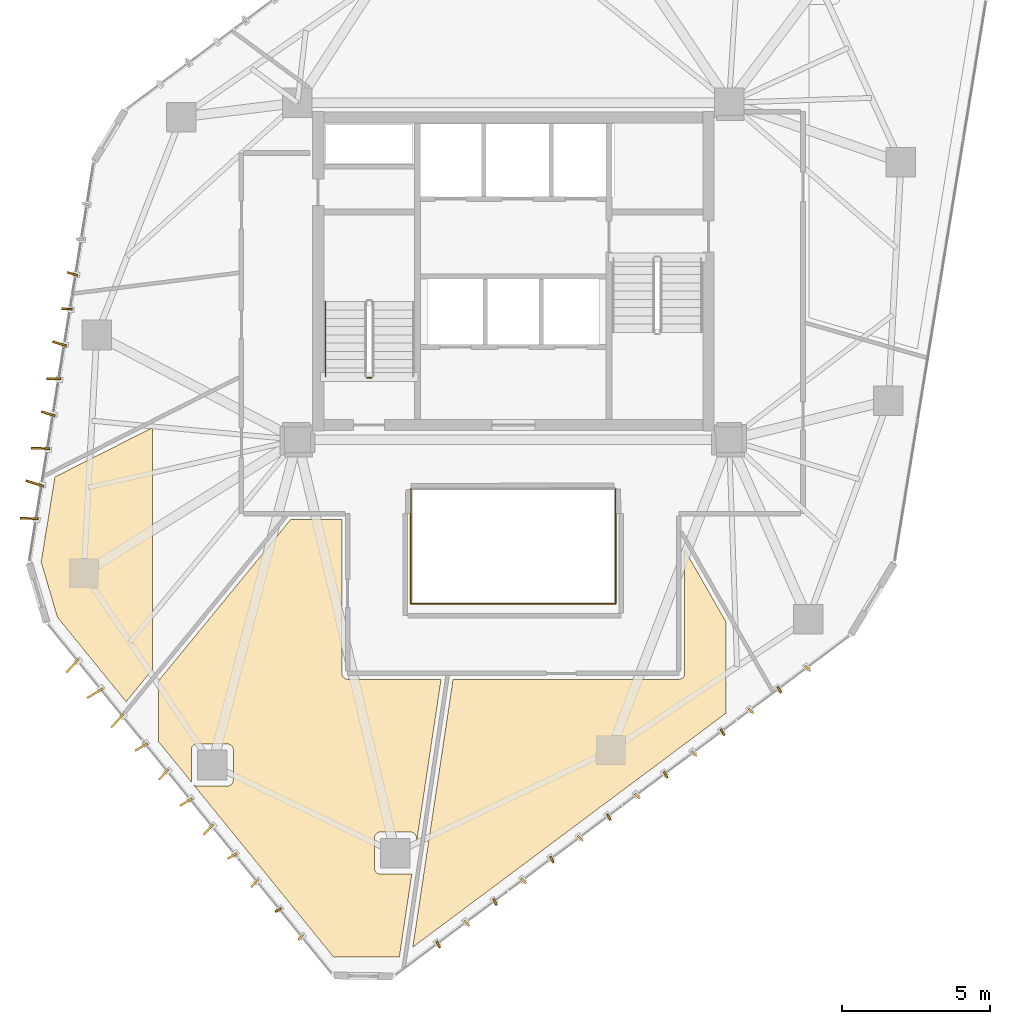
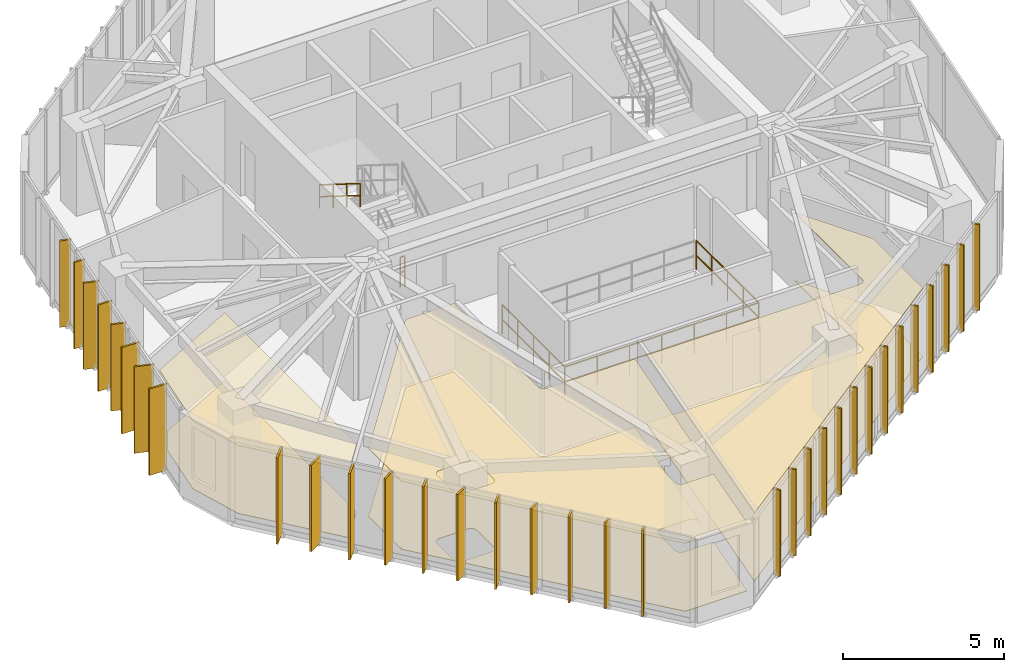
# One storey, part 19 of 20: 33 shading devices, 6 coverings, 5 railings.
"""IFC4 building model written with IfcOpenShell, lengths in metres."""

import ifcopenshell
import ifcopenshell.guid

model = None  # the IFC model being written
_history = None  # IfcOwnerHistory: only IFC2X3 demands one
_inside = {}  # id of a spatial element -> (the spatial element, [elements in it])
_under = {}  # id of a project, library or spatial element -> (it, [spatial elements below it])
_declared = {}  # id of a project -> (the project, [libraries it declares])
_typed = {}  # id of a type object -> (the type object, [elements of that type])
_made_of = {}  # id of a material, layer set ... -> (it, [elements and type objects made of it])


def new_model(schema):
    """Start an empty IFC model of exactly this schema.

    Asked for "IFC4X3", IfcOpenShell would pick the latest addendum, in which some entities
    have other attributes; the version numbers below select the first issue.
    IFC2X3 requires an IfcOwnerHistory on every rooted entity: one is made here for all.
    """
    global model, _history
    if schema == "IFC4X3":
        model = ifcopenshell.file(schema_version=(4, 3, 0, 0))
    else:
        model = ifcopenshell.file(schema=schema)
    _inside.clear()
    _under.clear()
    _declared.clear()
    _typed.clear()
    _made_of.clear()
    _history = None
    if model.schema == "IFC2X3":
        org = make("IfcOrganization", Name="unknown")
        user = make(
            "IfcPersonAndOrganization",
            ThePerson=make("IfcPerson", FamilyName="unknown"),
            TheOrganization=org,
        )
        app = make(
            "IfcApplication",
            ApplicationDeveloper=org,
            Version="unknown",
            ApplicationFullName="unknown",
            ApplicationIdentifier="unknown",
        )
        _history = make(
            "IfcOwnerHistory",
            OwningUser=user,
            OwningApplication=app,
            ChangeAction="ADDED",
            CreationDate=0,
        )
    return model


def make(cls, **values):
    """One entity of the class cls with the attributes given. An attribute that is None is left unset."""
    return model.create_entity(
        cls, **{name: value for name, value in values.items() if value is not None}
    )


def rooted(cls, **values):
    """An entity with a GlobalId (a new one), such as an element, a storey or a relation."""
    return make(cls, GlobalId=ifcopenshell.guid.new(), OwnerHistory=_history, **values)


def si_unit(unit_type, name, prefix=None):
    """IfcSIUnit, for example si_unit("LENGTHUNIT", "METRE", prefix="MILLI")."""
    return make("IfcSIUnit", UnitType=unit_type, Prefix=prefix, Name=name)


def assignment(units):
    """IfcUnitAssignment: the units of a project."""
    return None if units is None else make("IfcUnitAssignment", Units=units)


def point(xyz):
    """IfcCartesianPoint."""
    return None if xyz is None else make("IfcCartesianPoint", Coordinates=xyz)


def direction(xyz):
    """IfcDirection."""
    return None if xyz is None else make("IfcDirection", DirectionRatios=xyz)


def frame(location, z_axis=None, x_axis=None):
    """IfcAxis2Placement3D, a coordinate frame: its origin and axes. An axis left out is left unset."""
    return make(
        "IfcAxis2Placement3D",
        Location=point(location),
        Axis=direction(z_axis),
        RefDirection=direction(x_axis),
    )


def frame_2d(location, x_axis=None):
    """IfcAxis2Placement2D, a coordinate frame in the plane: its origin and x axis."""
    return make(
        "IfcAxis2Placement2D", Location=point(location), RefDirection=direction(x_axis)
    )


def origin():
    """The frame at (0, 0, 0) with its axes left unset."""
    return frame((0.0, 0.0, 0.0))


def origin_2d():
    """The frame at (0, 0) in the plane with its x axis left unset."""
    return frame_2d((0.0, 0.0))


def place(relative_to, where):
    """IfcLocalPlacement: puts the frame where relative to a parent placement (None: the world)."""
    return make(
        "IfcLocalPlacement", PlacementRelTo=relative_to, RelativePlacement=where
    )


def context(
    kind, dimensions, precision=None, world=None, true_north=None, identifier=None
):
    """IfcGeometricRepresentationContext, for example the 3D "Model" context."""
    return make(
        "IfcGeometricRepresentationContext",
        ContextIdentifier=identifier,
        ContextType=kind,
        CoordinateSpaceDimension=dimensions,
        Precision=precision,
        WorldCoordinateSystem=world,
        TrueNorth=true_north,
    )


def subcontext(parent, identifier, kind, view, scale=None):
    """IfcGeometricRepresentationSubContext, for example "Body" below "Model"."""
    return make(
        "IfcGeometricRepresentationSubContext",
        ContextIdentifier=identifier,
        ContextType=kind,
        ParentContext=parent,
        TargetScale=scale,
        TargetView=view,
    )


def project(units=None, contexts=None):
    """IfcProject with its units and contexts."""
    return rooted(
        "IfcProject",
        Name="project",
        RepresentationContexts=contexts,
        UnitsInContext=assignment(units),
    )


def spatial(cls, under=None, at=None, **own):
    """A site, building, storey or space (cls), placed at a placement, below another one or the project."""
    s = rooted(cls, ObjectPlacement=at, **own)
    if under is not None:
        _under.setdefault(under.id(), (under, []))[1].append(s)
    return s


def polyline(points):
    """IfcPolyline through the points."""
    return make("IfcPolyline", Points=[point(p) for p in points])


def profile(cls, at=None, kind="AREA", **sizes):
    """A parametric profile (cls). Its sizes go by their IFC names, for example OverallWidth=200.0."""
    return make(cls, ProfileType=kind, Position=at, **sizes)


def rectangle(**sizes):
    """IfcRectangleProfileDef."""
    return profile("IfcRectangleProfileDef", **sizes)


def circle(**sizes):
    """IfcCircleProfileDef."""
    return profile("IfcCircleProfileDef", **sizes)


def outline(outer, holes=None, kind="AREA"):
    """IfcArbitraryClosedProfileDef: a profile drawn as a closed curve; with holes, ...WithVoids."""
    if holes is None:
        return make("IfcArbitraryClosedProfileDef", ProfileType=kind, OuterCurve=outer)
    return make(
        "IfcArbitraryProfileDefWithVoids",
        ProfileType=kind,
        OuterCurve=outer,
        InnerCurves=holes,
    )


def extrude(swept, where, along, depth):
    """IfcExtrudedAreaSolid: the profile swept, set in the frame where, extruded along a direction by depth."""
    return make(
        "IfcExtrudedAreaSolid",
        SweptArea=swept,
        Position=where,
        ExtrudedDirection=direction(along),
        Depth=depth,
    )


def shape(context_of_items, identifier, shape_type, items):
    """IfcShapeRepresentation: the items that make up one representation, for example the "Body"."""
    return make(
        "IfcShapeRepresentation",
        ContextOfItems=context_of_items,
        RepresentationIdentifier=identifier,
        RepresentationType=shape_type,
        Items=items,
    )


def source(mapping_origin, context_of_items, identifier, shape_type, items):
    """IfcRepresentationMap: a shape defined once, which mapped items show again and again."""
    return make(
        "IfcRepresentationMap",
        MappingOrigin=mapping_origin,
        MappedRepresentation=shape(context_of_items, identifier, shape_type, items),
    )


def transform(
    local_origin,
    x_axis=None,
    y_axis=None,
    z_axis=None,
    scale=None,
    scale2=None,
    scale3=None,
    uniform=True,
):
    """IfcCartesianTransformationOperator3D, or its non-uniform kind. x_axis, y_axis, z_axis: its Axis1, 2, 3."""
    if uniform:
        return make(
            "IfcCartesianTransformationOperator3D",
            Axis1=direction(x_axis),
            Axis2=direction(y_axis),
            LocalOrigin=point(local_origin),
            Scale=scale,
            Axis3=direction(z_axis),
        )
    return make(
        "IfcCartesianTransformationOperator3DnonUniform",
        Axis1=direction(x_axis),
        Axis2=direction(y_axis),
        LocalOrigin=point(local_origin),
        Scale=scale,
        Axis3=direction(z_axis),
        Scale2=scale2,
        Scale3=scale3,
    )


def mapped(mapping_source, mapping_target):
    """IfcMappedItem: shows the shape of a source again, moved by a transform."""
    return make(
        "IfcMappedItem", MappingSource=mapping_source, MappingTarget=mapping_target
    )


def material(Name=None, Category=None):
    """IfcMaterial."""
    return make("IfcMaterial", Name=Name, Category=Category)


def layer(
    of_material, thickness, ventilated=None, Name=None, Category=None, Priority=None
):
    """IfcMaterialLayer: one layer of a wall or slab, of a material (None: an air gap)."""
    return make(
        "IfcMaterialLayer",
        Material=of_material,
        LayerThickness=thickness,
        IsVentilated=ventilated,
        Name=Name,
        Category=Category,
        Priority=Priority,
    )


def layer_set(layers, Name=None):
    """IfcMaterialLayerSet."""
    return make("IfcMaterialLayerSet", MaterialLayers=layers, LayerSetName=Name)


def made_of(thing, what):
    """Note that an element or type object is made of a material, layer set ...; save() writes the relation."""
    if what is not None:
        _made_of.setdefault(what.id(), (what, []))[1].append(thing)
    return thing


def type_object(cls, material=None, **own):
    """A type object (cls), such as IfcWallType, which elements share."""
    return made_of(rooted(cls, **own), material)


def type_shapes(of_type, sources):
    """Give a type object the sources (RepresentationMaps) that its elements show as mapped items."""
    of_type.RepresentationMaps = sources


def element(
    cls,
    number,
    at=None,
    inside=None,
    cuts=None,
    type_object=None,
    material=None,
    context=None,
    identifier="Body",
    shape_type=None,
    held_by="IfcProductDefinitionShape",
    body=None,
    shapes=None,
    **own,
):
    """One element of the class cls, such as IfcWall. Its Tag is "e" and its number.

    at: its placement. inside: the storey or other place that contains it. cuts: it is an
    opening in that element (IfcRelVoidsElement). A single representation is given by context,
    identifier, shape_type and body (its items); several are given by shapes. held_by: the class
    of the entity that holds the representations. save() writes the other relations.
    """
    e = rooted(cls, Tag="e%d" % number, ObjectPlacement=at, **own)
    if body is not None:
        shapes = [shape(context, identifier, shape_type, body)]
    if shapes is not None:
        e.Representation = make(held_by, Representations=shapes)
    if inside is not None:
        _inside.setdefault(inside.id(), (inside, []))[1].append(e)
    if cuts is not None:
        rooted(
            "IfcRelVoidsElement", RelatingBuildingElement=cuts, RelatedOpeningElement=e
        )
    if type_object is not None:
        _typed.setdefault(type_object.id(), (type_object, []))[1].append(e)
    return made_of(e, material)


def aggregate(whole, parts):
    """IfcRelAggregates: a whole, such as a stair, and the parts it consists of."""
    return rooted("IfcRelAggregates", RelatingObject=whole, RelatedObjects=parts)


def save(model, path):
    """Write the relations noted so far, then the file.

    IfcRelAggregates (storeys below a building ...), IfcRelContainedInSpatialStructure (elements
    in a storey), IfcRelDefinesByType, IfcRelAssociatesMaterial and IfcRelDeclares: one each for
    every whole, place, type object, material and project.
    """
    for whole, parts in _under.values():
        aggregate(whole, parts)
    for where, things in _inside.values():
        rooted(
            "IfcRelContainedInSpatialStructure",
            RelatedElements=things,
            RelatingStructure=where,
        )
    for kind, things in _typed.values():
        rooted("IfcRelDefinesByType", RelatedObjects=things, RelatingType=kind)
    for what, things in _made_of.values():
        rooted("IfcRelAssociatesMaterial", RelatedObjects=things, RelatingMaterial=what)
    for by, libraries in _declared.values():
        rooted("IfcRelDeclares", RelatingContext=by, RelatedDefinitions=libraries)
    model.write(path)


model = new_model("IFC4")

# Units and contexts
model_context = context("Model", 3, precision=1e-05, world=origin(), true_north=direction((0.0, 1.0)))
body_context = subcontext(model_context, "Body", "Model", "MODEL_VIEW")
ifc_project = project(units=[si_unit("LENGTHUNIT", "METRE"), si_unit("AREAUNIT", "SQUARE_METRE"), si_unit("VOLUMEUNIT", "CUBIC_METRE"), si_unit("PLANEANGLEUNIT", "RADIAN"), si_unit("MASSUNIT", "GRAM", prefix="KILO")], contexts=[model_context])

# Site, building, storey
site_placement = place(None, origin())
site = spatial("IfcSite", under=ifc_project, at=site_placement, CompositionType="ELEMENT")
building_placement = place(site_placement, origin())
building = spatial("IfcBuilding", under=site, at=building_placement, Name="Talar Marvaseh", CompositionType="ELEMENT")
storey_placement = place(building_placement, frame((0.0, 0.0, 198.5)))
storey = spatial("IfcBuildingStorey", under=building, at=storey_placement, Name="L52", CompositionType="ELEMENT", Elevation=198.5)

# Railings
ifc_material_1 = material(Name="Stainless Steel Grade 316", Category="steel")
railing_type_1 = type_object("IfcRailingType", Name="Brushed Stainless Wall Pitch Handrail 900", PredefinedType="HANDRAIL", material=ifc_material_1)
railing_1_placement = place(storey_placement, frame((19.64990234375, 30.169921875, 1.925048828125)))
element("IfcRailing", 1, at=railing_1_placement, inside=storey, type_object=railing_type_1, Name="L52 ST-1 stair handrail 2", PredefinedType="HANDRAIL", context=body_context, shape_type="SweptSolid", body=[
    extrude(circle(Radius=0.02392578125, at=origin_2d()), frame((0.0, 0.0, 0.8759765625), z_axis=(0.0, -0.848007534815, 0.529984170421), x_axis=(1.0, 0.0, 0.0)), (0.0, 0.0, 1.0), 2.9716796875),
    extrude(circle(Radius=0.02392578125, at=origin_2d()), frame((0.0, 0.0, 0.42578125), z_axis=(0.0, -0.848007534815, 0.529984170421), x_axis=(1.0, 0.0, 0.0)), (0.0, 0.0, 1.0), 2.9716796875),
    extrude(circle(Radius=0.02099609375, at=origin_2d()), origin(), (0.0, 0.0, 1.0), 0.851806640625),
    extrude(circle(Radius=0.02099609375, at=origin_2d()), frame((0.0, -0.840087890625, 0.52490234375)), (0.0, 0.0, 1.0), 0.851806640625),
    extrude(circle(Radius=0.02099609375, at=origin_2d()), frame((0.0, -1.679931640625, 1.050048828125)), (0.0, 0.0, 1.0), 0.851806640625),
    extrude(circle(Radius=0.02099609375, at=origin_2d()), frame((0.0, -2.52001953125, 1.574951171875)), (0.0, 0.0, 1.0), 0.851806640625),
])
ifc_material_2 = material(Name="Tempered Clear Glass", Category="glass")
railing_type_2 = type_object("IfcRailingType", Name="Interior Atrium Edge Balustrade 1120", PredefinedType="BALUSTRADE", material=ifc_material_2)
railing_2_placement = place(storey_placement, frame((22.5302734375, 19.9609375, 0.0)))
element("IfcRailing", 2, at=railing_2_placement, inside=storey, type_object=railing_type_2, Name="L52 Internal Daylight Atrium Balustrade 1", PredefinedType="BALUSTRADE", context=body_context, shape_type="SweptSolid", body=[
    extrude(circle(Radius=0.02392578125, at=origin_2d()), frame((0.0, 0.0, 1.09619140625), z_axis=(1.0, 0.0, 0.0), x_axis=(0.0, 1.0, 0.0)), (0.0, 0.0, 1.0), 6.939453125),
    extrude(circle(Radius=0.02392578125, at=origin_2d()), frame((0.0, 0.0, 0.5361328125), z_axis=(1.0, 0.0, 0.0), x_axis=(0.0, 1.0, 0.0)), (0.0, 0.0, 1.0), 6.939453125),
    extrude(circle(Radius=0.02099609375, at=origin_2d()), origin(), (0.0, 0.0, 1.0), 1.072021484375),
    extrude(circle(Radius=0.02099609375, at=origin_2d()), frame((1.156494140625, 0.0, 0.0)), (0.0, 0.0, 1.0), 1.072021484375),
    extrude(circle(Radius=0.02099609375, at=origin_2d()), frame((2.313232421875, 0.0, 0.0)), (0.0, 0.0, 1.0), 1.072021484375),
    extrude(circle(Radius=0.02099609375, at=origin_2d()), frame((3.4697265625, 0.0, 0.0)), (0.0, 0.0, 1.0), 1.072021484375),
    extrude(circle(Radius=0.02099609375, at=origin_2d()), frame((4.626220703125, 0.0, 0.0)), (0.0, 0.0, 1.0), 1.072021484375),
    extrude(circle(Radius=0.02099609375, at=origin_2d()), frame((5.782958984375, 0.0, 0.0)), (0.0, 0.0, 1.0), 1.072021484375),
    extrude(circle(Radius=0.02099609375, at=origin_2d()), frame((6.939453125, 0.0, 0.0)), (0.0, 0.0, 1.0), 1.072021484375),
])
railing_3_placement = place(storey_placement, frame((29.4697265625, 19.9609375, 0.0)))
element("IfcRailing", 3, at=railing_3_placement, inside=storey, type_object=railing_type_2, Name="L52 Internal Daylight Atrium Balustrade 2", PredefinedType="BALUSTRADE", context=body_context, shape_type="SweptSolid", body=[
    extrude(circle(Radius=0.02392578125, at=origin_2d()), frame((0.0, 0.0, 1.09619140625), z_axis=(0.0, 1.0, 0.0), x_axis=(-1.0, 0.0, 0.0)), (0.0, 0.0, 1.0), 3.878173828125),
    extrude(circle(Radius=0.02392578125, at=origin_2d()), frame((0.0, 0.0, 0.5361328125), z_axis=(0.0, 1.0, 0.0), x_axis=(-1.0, 0.0, 0.0)), (0.0, 0.0, 1.0), 3.878173828125),
    extrude(circle(Radius=0.02099609375, at=origin_2d()), origin(), (0.0, 0.0, 1.0), 1.072021484375),
    extrude(circle(Radius=0.02099609375, at=origin_2d()), frame((0.0, 0.969482421875, 0.0)), (0.0, 0.0, 1.0), 1.072021484375),
    extrude(circle(Radius=0.02099609375, at=origin_2d()), frame((0.0, 1.93896484375, 0.0)), (0.0, 0.0, 1.0), 1.072021484375),
    extrude(circle(Radius=0.02099609375, at=origin_2d()), frame((0.0, 2.90869140625, 0.0)), (0.0, 0.0, 1.0), 1.072021484375),
    extrude(circle(Radius=0.02099609375, at=origin_2d()), frame((0.0, 3.878173828125, 0.0)), (0.0, 0.0, 1.0), 1.072021484375),
])
railing_4_placement = place(storey_placement, frame((22.5302734375, 23.839111328125, 0.0)))
element("IfcRailing", 4, at=railing_4_placement, inside=storey, type_object=railing_type_2, Name="L52 Internal Daylight Atrium Balustrade 4", PredefinedType="BALUSTRADE", context=body_context, shape_type="SweptSolid", body=[
    extrude(circle(Radius=0.02392578125, at=origin_2d()), frame((0.0, 0.0, 1.09619140625), z_axis=(0.0, -1.0, 0.0), x_axis=(1.0, 0.0, 0.0)), (0.0, 0.0, 1.0), 3.878173828125),
    extrude(circle(Radius=0.02392578125, at=origin_2d()), frame((0.0, 0.0, 0.5361328125), z_axis=(0.0, -1.0, 0.0), x_axis=(1.0, 0.0, 0.0)), (0.0, 0.0, 1.0), 3.878173828125),
    extrude(circle(Radius=0.02099609375, at=origin_2d()), origin(), (0.0, 0.0, 1.0), 1.072021484375),
    extrude(circle(Radius=0.02099609375, at=origin_2d()), frame((0.0, -0.969482421875, 0.0)), (0.0, 0.0, 1.0), 1.072021484375),
    extrude(circle(Radius=0.02099609375, at=origin_2d()), frame((0.0, -1.93896484375, 0.0)), (0.0, 0.0, 1.0), 1.072021484375),
    extrude(circle(Radius=0.02099609375, at=origin_2d()), frame((0.0, -2.90869140625, 0.0)), (0.0, 0.0, 1.0), 1.072021484375),
    extrude(circle(Radius=0.02099609375, at=origin_2d()), frame((0.0, -3.878173828125, 0.0)), (0.0, 0.0, 1.0), 1.072021484375),
])
railing_type_3 = type_object("IfcRailingType", Name="Painted Steel Core Stair Well Guardrail 1150", PredefinedType="GUARDRAIL", material=ifc_material_1)
railing_5_placement = place(storey_placement, frame((21.2099609375, 27.60009765625, 0.0)))
element("IfcRailing", 5, at=railing_5_placement, inside=storey, type_object=railing_type_3, Name="L52 ST-1 stair guard 4", PredefinedType="GUARDRAIL", context=body_context, shape_type="SweptSolid", body=[
    extrude(circle(Radius=0.02392578125, at=origin_2d()), frame((0.0, 0.0, 1.1259765625), z_axis=(-1.0, 0.0, 0.0), x_axis=(0.0, -1.0, 0.0)), (0.0, 0.0, 1.0), 0.159912109375),
    extrude(circle(Radius=0.02392578125, at=origin_2d()), frame((0.0, 0.0, 0.55078125), z_axis=(-1.0, 0.0, 0.0), x_axis=(0.0, -1.0, 0.0)), (0.0, 0.0, 1.0), 0.159912109375),
    extrude(circle(Radius=0.02099609375, at=origin_2d()), origin(), (0.0, 0.0, 1.0), 1.101806640625),
    extrude(circle(Radius=0.02099609375, at=origin_2d()), frame((-0.159912109375, 0.0, 0.0)), (0.0, 0.0, 1.0), 1.101806640625),
])

# Coverings
ifc_material_3 = material(Name="Mineral Fibre Acoustic Ceiling")
ifc_layer_1 = layer(ifc_material_3, 0.02490234375)
ifc_layer_set_1 = layer_set([ifc_layer_1], Name="Mineral Fibre Acoustic Ceiling")
covering_type_1 = type_object("IfcCoveringType", Name="Perforated Mineral Fibre Acoustic Suspended Ceiling", PredefinedType="CEILING", material=ifc_layer_set_1)
covering_1_placement = place(storey_placement, frame((0.0, 0.0, 2.570068359375)))
element("IfcCovering", 6, at=covering_1_placement, inside=storey, type_object=covering_type_1, Name="L52 Seminar Room Acoustic Ceiling", PredefinedType="CEILING", context=body_context, shape_type="SweptSolid", body=[
    extrude(outline(polyline([(13.800048828125, 25.9111328125), (13.800048828125, 17.7333984375), (12.904052734375, 16.640380859375), (10.5791015625, 19.501953125), (10.03125, 21.3662109375), (10.49609375, 24.241455078125), (13.800048828125, 25.9111328125)])), origin(), (0.0, 0.0, 1.0), 0.02490234375),
])
covering_2_placement = place(storey_placement, frame((0.0, 0.0, 2.570068359375)))
element("IfcCovering", 7, at=covering_2_placement, inside=storey, type_object=covering_type_1, Name="L52 Hospitality Tea Pantry Acoustic Ceiling", PredefinedType="CEILING", context=body_context, shape_type="SweptSolid", body=[
    extrude(outline(polyline([(14.0, 17.346435546875), (18.470703125, 22.800048828125), (20.199951171875, 22.800048828125), (20.199951171875, 17.60009765625), (20.200927734375, 17.580322265625), (20.203857421875, 17.56103515625), (20.20849609375, 17.5419921875), (20.215087890625, 17.5234375), (20.2236328125, 17.505615234375), (20.233642578125, 17.489013671875), (20.245361328125, 17.47314453125), (20.258544921875, 17.45849609375), (20.273193359375, 17.4453125), (20.288818359375, 17.43359375), (20.3056640625, 17.423583984375), (20.323486328125, 17.415283203125), (20.341796875, 17.40869140625), (20.361083984375, 17.40380859375), (20.38037109375, 17.40087890625), (20.39990234375, 17.39990234375), (23.55859375, 17.39990234375), (22.729248046875, 11.882080078125), (22.72998046875, 12.019775390625), (22.72900390625, 12.038330078125), (22.7265625, 12.056640625), (22.722412109375, 12.074951171875), (22.716552734375, 12.092529296875), (22.708984375, 12.109619140625), (22.699951171875, 12.1259765625), (22.689208984375, 12.141357421875), (22.677490234375, 12.155517578125), (22.664306640625, 12.168701171875), (22.6494140625, 12.18212890625), (22.635009765625, 12.194091796875), (22.61962890625, 12.204345703125), (22.603515625, 12.21337890625), (22.586669921875, 12.220703125), (22.569091796875, 12.2265625), (22.551025390625, 12.230712890625), (22.53271484375, 12.233154296875), (22.51416015625, 12.23388671875), (21.50341796875, 12.2294921875), (21.48388671875, 12.228515625), (21.464599609375, 12.2255859375), (21.44580078125, 12.220703125), (21.42724609375, 12.214111328125), (21.40966796875, 12.205810546875), (21.392822265625, 12.195556640625), (21.377197265625, 12.183837890625), (21.36279296875, 12.170654296875), (21.349609375, 12.15625), (21.337890625, 12.140380859375), (21.327880859375, 12.12353515625), (21.319580078125, 12.10595703125), (21.31298828125, 12.08740234375), (21.30810546875, 12.068603515625), (21.305419921875, 12.049072265625), (21.304443359375, 12.029541015625), (21.304443359375, 11.00830078125), (21.305419921875, 10.98876953125), (21.30810546875, 10.969482421875), (21.31298828125, 10.9501953125), (21.319580078125, 10.931884765625), (21.327880859375, 10.9140625), (21.338134765625, 10.897216796875), (21.349853515625, 10.881591796875), (21.363037109375, 10.866943359375), (21.37744140625, 10.853759765625), (21.393310546875, 10.842041015625), (21.41015625, 10.83203125), (21.427978515625, 10.823486328125), (21.4462890625, 10.81689453125), (21.46533203125, 10.812255859375), (21.48486328125, 10.809326171875), (21.50439453125, 10.808349609375), (22.525634765625, 10.808349609375), (22.545166015625, 10.809326171875), (22.564453125, 10.812255859375), (22.568603515625, 10.813232421875), (22.14599609375, 8.0), (19.925048828125, 8.0), (15.185546875, 13.8330078125), (15.197265625, 13.82421875), (15.214111328125, 13.81396484375), (15.23193359375, 13.8056640625), (15.250244140625, 13.799072265625), (15.269287109375, 13.794189453125), (15.288818359375, 13.79150390625), (15.308349609375, 13.790283203125), (16.32958984375, 13.790283203125), (16.34912109375, 13.79150390625), (16.368408203125, 13.794189453125), (16.387451171875, 13.799072265625), (16.406005859375, 13.805419921875), (16.423583984375, 13.81396484375), (16.4404296875, 13.823974609375), (16.456298828125, 13.835693359375), (16.470703125, 13.8486328125), (16.48388671875, 13.86328125), (16.49560546875, 13.87890625), (16.505615234375, 13.8955078125), (16.51416015625, 13.913330078125), (16.520751953125, 13.931640625), (16.525634765625, 13.95068359375), (16.528564453125, 13.969970703125), (16.529541015625, 13.989501953125), (16.533935546875, 15.001708984375), (16.533203125, 15.020263671875), (16.530517578125, 15.038818359375), (16.5263671875, 15.056884765625), (16.5205078125, 15.07470703125), (16.512939453125, 15.091552734375), (16.50390625, 15.10791015625), (16.493408203125, 15.123291015625), (16.4814453125, 15.1376953125), (16.46826171875, 15.150634765625), (16.453369140625, 15.164306640625), (16.43896484375, 15.176025390625), (16.423583984375, 15.186279296875), (16.407470703125, 15.1953125), (16.390625, 15.202880859375), (16.373046875, 15.20849609375), (16.35498046875, 15.212646484375), (16.336669921875, 15.215087890625), (16.318115234375, 15.216064453125), (15.3076171875, 15.211669921875), (15.2880859375, 15.210693359375), (15.2685546875, 15.20751953125), (15.249755859375, 15.202880859375), (15.231201171875, 15.196044921875), (15.213623046875, 15.187744140625), (15.19677734375, 15.177490234375), (15.18115234375, 15.166015625), (15.166748046875, 15.152587890625), (15.153564453125, 15.13818359375), (15.141845703125, 15.122314453125), (15.1318359375, 15.105712890625), (15.12353515625, 15.087890625), (15.116943359375, 15.069580078125), (15.1123046875, 15.050537109375), (15.109375, 15.031005859375), (15.1083984375, 15.01171875), (15.1083984375, 13.990478515625), (15.109375, 13.970703125), (15.1123046875, 13.951416015625), (15.116943359375, 13.932373046875), (15.12353515625, 13.913818359375), (15.129150390625, 13.902099609375), (14.0, 15.291748046875), (14.0, 17.346435546875)])), origin(), (0.0, 0.0, 1.0), 0.02490234375),
])
covering_3_placement = place(storey_placement, frame((0.0, 0.0, 2.570068359375)))
element("IfcCovering", 8, at=covering_3_placement, inside=storey, type_object=covering_type_1, Name="L52 Colloquium Boardroom Acoustic Ceiling", PredefinedType="CEILING", context=body_context, shape_type="SweptSolid", body=[
    extrude(outline(polyline([(31.61962890625, 17.40087890625), (31.638916015625, 17.40380859375), (31.658203125, 17.40869140625), (31.676513671875, 17.415283203125), (31.6943359375, 17.423583984375), (31.711181640625, 17.43359375), (31.726806640625, 17.4453125), (31.741455078125, 17.45849609375), (31.754638671875, 17.47314453125), (31.766357421875, 17.489013671875), (31.7763671875, 17.505615234375), (31.784912109375, 17.5234375), (31.79150390625, 17.5419921875), (31.796142578125, 17.56103515625), (31.799072265625, 17.580322265625), (31.800048828125, 17.60009765625), (31.800048828125, 21.77587890625), (33.199951171875, 19.332763671875), (33.199951171875, 16.255859375), (22.601318359375, 8.3388671875), (23.963134765625, 17.39990234375), (31.60009765625, 17.39990234375), (31.61962890625, 17.40087890625)])), origin(), (0.0, 0.0, 1.0), 0.02490234375),
])
ifc_material_4 = material(Name="Porcelain Stoneware Tile", Category="masonry")
ifc_layer_2 = layer(ifc_material_4, 0.02001953125)
ifc_layer_set_2 = layer_set([ifc_layer_2], Name="Porcelain Stoneware Tile")
covering_type_2 = type_object("IfcCoveringType", Name="Polished Porcelain Stoneware Gallery Flooring", PredefinedType="FLOORING", material=ifc_layer_set_2)
covering_4_placement = place(storey_placement, origin())
element("IfcCovering", 9, at=covering_4_placement, inside=storey, type_object=covering_type_2, Name="L52 Seminar Room Flooring", PredefinedType="FLOORING", context=body_context, shape_type="SweptSolid", body=[
    extrude(outline(polyline([(13.800048828125, 25.9111328125), (13.800048828125, 17.7333984375), (12.904052734375, 16.640380859375), (10.5791015625, 19.501953125), (10.03125, 21.3662109375), (10.49609375, 24.241455078125), (13.800048828125, 25.9111328125)])), origin(), (0.0, 0.0, 1.0), 0.02001953125),
])
covering_5_placement = place(storey_placement, origin())
element("IfcCovering", 10, at=covering_5_placement, inside=storey, type_object=covering_type_2, Name="L52 Hospitality Tea Pantry Flooring", PredefinedType="FLOORING", context=body_context, shape_type="SweptSolid", body=[
    extrude(outline(polyline([(14.0, 17.346435546875), (18.470703125, 22.800048828125), (20.199951171875, 22.800048828125), (20.199951171875, 17.60009765625), (20.200927734375, 17.580322265625), (20.203857421875, 17.56103515625), (20.20849609375, 17.5419921875), (20.215087890625, 17.5234375), (20.2236328125, 17.505615234375), (20.233642578125, 17.489013671875), (20.245361328125, 17.47314453125), (20.258544921875, 17.45849609375), (20.273193359375, 17.4453125), (20.288818359375, 17.43359375), (20.3056640625, 17.423583984375), (20.323486328125, 17.415283203125), (20.341796875, 17.40869140625), (20.361083984375, 17.40380859375), (20.38037109375, 17.40087890625), (20.39990234375, 17.39990234375), (23.55859375, 17.39990234375), (22.729248046875, 11.882080078125), (22.72998046875, 12.019775390625), (22.72900390625, 12.038330078125), (22.7265625, 12.056640625), (22.722412109375, 12.074951171875), (22.716552734375, 12.092529296875), (22.708984375, 12.109619140625), (22.699951171875, 12.1259765625), (22.689208984375, 12.141357421875), (22.677490234375, 12.155517578125), (22.664306640625, 12.168701171875), (22.6494140625, 12.18212890625), (22.635009765625, 12.194091796875), (22.61962890625, 12.204345703125), (22.603515625, 12.21337890625), (22.586669921875, 12.220703125), (22.569091796875, 12.2265625), (22.551025390625, 12.230712890625), (22.53271484375, 12.233154296875), (22.51416015625, 12.23388671875), (21.50341796875, 12.2294921875), (21.48388671875, 12.228515625), (21.464599609375, 12.2255859375), (21.44580078125, 12.220703125), (21.42724609375, 12.214111328125), (21.40966796875, 12.205810546875), (21.392822265625, 12.195556640625), (21.377197265625, 12.183837890625), (21.36279296875, 12.170654296875), (21.349609375, 12.15625), (21.337890625, 12.140380859375), (21.327880859375, 12.12353515625), (21.319580078125, 12.10595703125), (21.31298828125, 12.08740234375), (21.30810546875, 12.068603515625), (21.305419921875, 12.049072265625), (21.304443359375, 12.029541015625), (21.304443359375, 11.00830078125), (21.305419921875, 10.98876953125), (21.30810546875, 10.969482421875), (21.31298828125, 10.9501953125), (21.319580078125, 10.931884765625), (21.327880859375, 10.9140625), (21.338134765625, 10.897216796875), (21.349853515625, 10.881591796875), (21.363037109375, 10.866943359375), (21.37744140625, 10.853759765625), (21.393310546875, 10.842041015625), (21.41015625, 10.83203125), (21.427978515625, 10.823486328125), (21.4462890625, 10.81689453125), (21.46533203125, 10.812255859375), (21.48486328125, 10.809326171875), (21.50439453125, 10.808349609375), (22.525634765625, 10.808349609375), (22.545166015625, 10.809326171875), (22.564453125, 10.812255859375), (22.568603515625, 10.813232421875), (22.14599609375, 8.0), (19.925048828125, 8.0), (15.185546875, 13.8330078125), (15.197265625, 13.82421875), (15.214111328125, 13.81396484375), (15.23193359375, 13.8056640625), (15.250244140625, 13.799072265625), (15.269287109375, 13.794189453125), (15.288818359375, 13.79150390625), (15.308349609375, 13.790283203125), (16.32958984375, 13.790283203125), (16.34912109375, 13.79150390625), (16.368408203125, 13.794189453125), (16.387451171875, 13.799072265625), (16.406005859375, 13.805419921875), (16.423583984375, 13.81396484375), (16.4404296875, 13.823974609375), (16.456298828125, 13.835693359375), (16.470703125, 13.8486328125), (16.48388671875, 13.86328125), (16.49560546875, 13.87890625), (16.505615234375, 13.8955078125), (16.51416015625, 13.913330078125), (16.520751953125, 13.931640625), (16.525634765625, 13.95068359375), (16.528564453125, 13.969970703125), (16.529541015625, 13.989501953125), (16.533935546875, 15.001708984375), (16.533203125, 15.020263671875), (16.530517578125, 15.038818359375), (16.5263671875, 15.056884765625), (16.5205078125, 15.07470703125), (16.512939453125, 15.091552734375), (16.50390625, 15.10791015625), (16.493408203125, 15.123291015625), (16.4814453125, 15.1376953125), (16.46826171875, 15.150634765625), (16.453369140625, 15.164306640625), (16.43896484375, 15.176025390625), (16.423583984375, 15.186279296875), (16.407470703125, 15.1953125), (16.390625, 15.202880859375), (16.373046875, 15.20849609375), (16.35498046875, 15.212646484375), (16.336669921875, 15.215087890625), (16.318115234375, 15.216064453125), (15.3076171875, 15.211669921875), (15.2880859375, 15.210693359375), (15.2685546875, 15.20751953125), (15.249755859375, 15.202880859375), (15.231201171875, 15.196044921875), (15.213623046875, 15.187744140625), (15.19677734375, 15.177490234375), (15.18115234375, 15.166015625), (15.166748046875, 15.152587890625), (15.153564453125, 15.13818359375), (15.141845703125, 15.122314453125), (15.1318359375, 15.105712890625), (15.12353515625, 15.087890625), (15.116943359375, 15.069580078125), (15.1123046875, 15.050537109375), (15.109375, 15.031005859375), (15.1083984375, 15.01171875), (15.1083984375, 13.990478515625), (15.109375, 13.970703125), (15.1123046875, 13.951416015625), (15.116943359375, 13.932373046875), (15.12353515625, 13.913818359375), (15.129150390625, 13.902099609375), (14.0, 15.291748046875), (14.0, 17.346435546875)])), origin(), (0.0, 0.0, 1.0), 0.02001953125),
])
covering_6_placement = place(storey_placement, origin())
element("IfcCovering", 11, at=covering_6_placement, inside=storey, type_object=covering_type_2, Name="L52 Colloquium Boardroom Flooring", PredefinedType="FLOORING", context=body_context, shape_type="SweptSolid", body=[
    extrude(outline(polyline([(31.61962890625, 17.40087890625), (31.638916015625, 17.40380859375), (31.658203125, 17.40869140625), (31.676513671875, 17.415283203125), (31.6943359375, 17.423583984375), (31.711181640625, 17.43359375), (31.726806640625, 17.4453125), (31.741455078125, 17.45849609375), (31.754638671875, 17.47314453125), (31.766357421875, 17.489013671875), (31.7763671875, 17.505615234375), (31.784912109375, 17.5234375), (31.79150390625, 17.5419921875), (31.796142578125, 17.56103515625), (31.799072265625, 17.580322265625), (31.800048828125, 17.60009765625), (31.800048828125, 21.77587890625), (33.199951171875, 19.332763671875), (33.199951171875, 16.255859375), (22.601318359375, 8.3388671875), (23.963134765625, 17.39990234375), (31.60009765625, 17.39990234375), (31.61962890625, 17.40087890625)])), origin(), (0.0, 0.0, 1.0), 0.02001953125),
])

# Shading devices
ifc_material_5 = material(Name="Anodised Champagne Bronze Aluminium", Category="aluminium")
ifc_layer_3 = layer(ifc_material_5, 0.06494140625)
ifc_layer_set_3 = layer_set([ifc_layer_3], Name="Anodised Champagne Bronze Aluminium")
shading_device_type_1 = type_object("IfcShadingDeviceType", Name="Sawtooth Champagne Bronze Vertical Fin 240", PredefinedType="USERDEFINED", material=ifc_layer_set_3)
shared_shape_1 = source(origin(), body_context, "Body", "SweptSolid", [
    extrude(rectangle(XDim=0.239990234375, YDim=0.06494140625, at=origin_2d()), origin(), (0.0, 0.0, 1.0), 3.27001953125),
])
type_shapes(shading_device_type_1, [shared_shape_1])
for number, where, z_axis, x_axis, name in (
    (12, (18.810791015625, 8.66552734375, -0.1201171875), (0.0, 0.0, 1.0), (-0.680720868959, -0.732542898787, 0.0), "L52 Sawtooth Vertical Solar Fin"),
    (13, (18.05419921875, 9.596923828125, -0.1201171875), (0.0, 0.0, 1.0), (-0.8562670846, -0.516533328867, 0.0), "L52 Sawtooth Vertical Solar Fin"),
    (14, (35.961181640625, 17.762939453125, -0.1201171875), (0.0, 0.0, 1.0), (0.704138664464, -0.710062491058, 0.0), "L52 Sawtooth Vertical Solar Fin"),
    (15, (34.999755859375, 17.044677734375, -0.1201171875), (0.0, 0.0, 1.0), (0.481141779278, -0.876642793978, 0.0), "L52 Sawtooth Vertical Solar Fin"),
    (16, (34.038330078125, 16.32666015625, -0.1201171875), (0.0, 0.0, 1.0), (0.704138664464, -0.710062491058, 0.0), "L52 Sawtooth Vertical Solar Fin"),
    (17, (33.076904296875, 15.6083984375, -0.1201171875), (0.0, 0.0, 1.0), (0.481141779278, -0.876642793978, 0.0), "L52 Sawtooth Vertical Solar Fin"),
    (18, (32.115478515625, 14.890380859375, -0.1201171875), (0.0, 0.0, 1.0), (0.704138664464, -0.710062491058, 0.0), "L52 Sawtooth Vertical Solar Fin"),
    (19, (31.154052734375, 14.172119140625, -0.1201171875), (0.0, 0.0, 1.0), (0.481141779278, -0.876642793978, 0.0), "L52 Sawtooth Vertical Solar Fin"),
    (20, (30.192626953125, 13.4541015625, -0.1201171875), (0.0, 0.0, 1.0), (0.704138664464, -0.710062491058, 0.0), "L52 Sawtooth Vertical Solar Fin"),
    (21, (29.231201171875, 12.73583984375, -0.1201171875), (0.0, 0.0, 1.0), (0.481141779278, -0.876642793978, 0.0), "L52 Sawtooth Vertical Solar Fin"),
    (22, (28.27001953125, 12.017822265625, -0.1201171875), (0.0, 0.0, 1.0), (0.704138664464, -0.710062491058, 0.0), "L52 Sawtooth Vertical Solar Fin"),
    (23, (27.30859375, 11.299560546875, -0.1201171875), (0.0, 0.0, 1.0), (0.481141779278, -0.876642793978, 0.0), "L52 Sawtooth Vertical Solar Fin"),
    (24, (26.34716796875, 10.58154296875, -0.1201171875), (0.0, 0.0, 1.0), (0.704138664464, -0.710062491058, 0.0), "L52 Sawtooth Vertical Solar Fin"),
    (25, (25.3857421875, 9.86328125, -0.1201171875), (0.0, 0.0, 1.0), (0.481141779278, -0.876642793978, 0.0), "L52 Sawtooth Vertical Solar Fin"),
    (26, (24.42431640625, 9.145263671875, -0.1201171875), (0.0, 0.0, 1.0), (0.704138664464, -0.710062491058, 0.0), "L52 Sawtooth Vertical Solar Fin"),
    (27, (23.462890625, 8.427001953125, -0.1201171875), (0.0, 0.0, 1.0), (0.481141779278, -0.876642793978, 0.0), "L52 Sawtooth Vertical Solar Fin"),
):
    element("IfcShadingDevice", number, at=place(storey_placement, frame(where, z_axis=z_axis, x_axis=x_axis)), inside=storey, type_object=shading_device_type_1, Name=name, ObjectType="FIN", PredefinedType="USERDEFINED", context=body_context, shape_type="MappedRepresentation", body=[
        mapped(shared_shape_1, transform((0.0, 0.0, 0.0), x_axis=(1.0, 0.0, 0.0), y_axis=(0.0, 1.0, 0.0), z_axis=(0.0, 0.0, 1.0), scale=1.0)),
    ])
ifc_layer_4 = layer(ifc_material_5, 0.06494140625)
ifc_layer_set_4 = layer_set([ifc_layer_4], Name="Anodised Champagne Bronze Aluminium")
shading_device_type_2 = type_object("IfcShadingDeviceType", Name="Sawtooth Champagne Bronze Vertical Fin 360", PredefinedType="USERDEFINED", material=ifc_layer_set_4)
shared_shape_2 = source(origin(), body_context, "Body", "SweptSolid", [
    extrude(rectangle(XDim=0.360107421875, YDim=0.06494140625, at=origin_2d()), origin(), (0.0, 0.0, 1.0), 3.27001953125),
])
type_shapes(shading_device_type_2, [shared_shape_2])
for number, where, z_axis, x_axis, name in (
    (28, (17.250732421875, 10.490234375, -0.1201171875), (0.0, 0.0, 1.0), (-0.680720868959, -0.732542898787, 0.0), "L52 Sawtooth Vertical Solar Fin"),
    (29, (16.494140625, 11.421630859375, -0.1201171875), (0.0, 0.0, 1.0), (-0.8562670846, -0.516533328867, 0.0), "L52 Sawtooth Vertical Solar Fin"),
    (30, (10.903076171875, 29.925537109375, -0.1201171875), (0.0, 0.0, 1.0), (-0.999787932848, 0.02059342932, 0.0), "L52 Sawtooth Vertical Solar Fin"),
    (31, (11.094482421875, 31.110107421875, -0.1201171875), (0.0, 0.0, 1.0), (-0.955381525503, 0.295374576981, 0.0), "L52 Sawtooth Vertical Solar Fin"),
):
    element("IfcShadingDevice", number, at=place(storey_placement, frame(where, z_axis=z_axis, x_axis=x_axis)), inside=storey, type_object=shading_device_type_2, Name=name, ObjectType="FIN", PredefinedType="USERDEFINED", context=body_context, shape_type="MappedRepresentation", body=[
        mapped(shared_shape_2, transform((0.0, 0.0, 0.0), x_axis=(1.0, 0.0, 0.0), y_axis=(0.0, 1.0, 0.0), z_axis=(0.0, 0.0, 1.0), scale=1.0)),
    ])
ifc_layer_5 = layer(ifc_material_5, 0.06494140625)
ifc_layer_set_5 = layer_set([ifc_layer_5], Name="Anodised Champagne Bronze Aluminium")
shading_device_type_3 = type_object("IfcShadingDeviceType", Name="Sawtooth Champagne Bronze Vertical Fin 480", PredefinedType="USERDEFINED", material=ifc_layer_set_5)
shared_shape_3 = source(origin(), body_context, "Body", "SweptSolid", [
    extrude(rectangle(XDim=0.47998046875, YDim=0.06494140625, at=origin_2d()), origin(), (0.0, 0.0, 1.0), 3.27001953125),
])
type_shapes(shading_device_type_3, [shared_shape_3])
for number, where, z_axis, x_axis, name in (
    (32, (15.690673828125, 12.315185546875, -0.1201171875), (0.0, 0.0, 1.0), (-0.680720868959, -0.732542898787, 0.0), "L52 Sawtooth Vertical Solar Fin"),
    (33, (14.93408203125, 13.246337890625, -0.1201171875), (0.0, 0.0, 1.0), (-0.8562670846, -0.516533328867, 0.0), "L52 Sawtooth Vertical Solar Fin"),
    (34, (14.17724609375, 14.177734375, -0.1201171875), (0.0, 0.0, 1.0), (-0.680720868959, -0.732542898787, 0.0), "L52 Sawtooth Vertical Solar Fin"),
    (35, (13.42041015625, 15.10888671875, -0.1201171875), (0.0, 0.0, 1.0), (-0.8562670846, -0.516533328867, 0.0), "L52 Sawtooth Vertical Solar Fin"),
    (36, (10.26953125, 26.381103515625, -0.1201171875), (0.0, 0.0, 1.0), (-0.955381525503, 0.295374576981, 0.0), "L52 Sawtooth Vertical Solar Fin"),
    (37, (10.4609375, 27.56591796875, -0.1201171875), (0.0, 0.0, 1.0), (-0.999787932848, 0.02059342932, 0.0), "L52 Sawtooth Vertical Solar Fin"),
    (38, (10.65234375, 28.75048828125, -0.1201171875), (0.0, 0.0, 1.0), (-0.955381525503, 0.295374576981, 0.0), "L52 Sawtooth Vertical Solar Fin"),
):
    element("IfcShadingDevice", number, at=place(storey_placement, frame(where, z_axis=z_axis, x_axis=x_axis)), inside=storey, type_object=shading_device_type_3, Name=name, ObjectType="FIN", PredefinedType="USERDEFINED", context=body_context, shape_type="MappedRepresentation", body=[
        mapped(shared_shape_3, transform((0.0, 0.0, 0.0), x_axis=(1.0, 0.0, 0.0), y_axis=(0.0, 1.0, 0.0), z_axis=(0.0, 0.0, 1.0), scale=1.0)),
    ])
ifc_layer_6 = layer(ifc_material_5, 0.06494140625)
ifc_layer_set_6 = layer_set([ifc_layer_6], Name="Anodised Champagne Bronze Aluminium")
shading_device_type_4 = type_object("IfcShadingDeviceType", Name="Sawtooth Champagne Bronze Vertical Fin 620", PredefinedType="USERDEFINED", material=ifc_layer_set_6)
shared_shape_4 = source(origin(), body_context, "Body", "SweptSolid", [
    extrude(rectangle(XDim=0.6201171875, YDim=0.06494140625, at=origin_2d()), origin(), (0.0, 0.0, 1.0), 3.27001953125),
])
type_shapes(shading_device_type_4, [shared_shape_4])
for number, where, z_axis, x_axis, name in (
    (39, (12.609375, 15.99609375, -0.1201171875), (0.0, 0.0, 1.0), (-0.680720868959, -0.732542898787, 0.0), "L52 Sawtooth Vertical Solar Fin"),
    (40, (11.8525390625, 16.927490234375, -0.1201171875), (0.0, 0.0, 1.0), (-0.8562670846, -0.516533328867, 0.0), "L52 Sawtooth Vertical Solar Fin"),
    (41, (11.095947265625, 17.85888671875, -0.1201171875), (0.0, 0.0, 1.0), (-0.680720868959, -0.732542898787, 0.0), "L52 Sawtooth Vertical Solar Fin"),
    (42, (9.6259765625, 22.83837890625, -0.1201171875), (0.0, 0.0, 1.0), (-0.999787932848, 0.02059342932, 0.0), "L52 Sawtooth Vertical Solar Fin"),
    (43, (9.8173828125, 24.023193359375, -0.1201171875), (0.0, 0.0, 1.0), (-0.955381525503, 0.295374576981, 0.0), "L52 Sawtooth Vertical Solar Fin"),
    (44, (10.0087890625, 25.207763671875, -0.1201171875), (0.0, 0.0, 1.0), (-0.999787932848, 0.02059342932, 0.0), "L52 Sawtooth Vertical Solar Fin"),
):
    element("IfcShadingDevice", number, at=place(storey_placement, frame(where, z_axis=z_axis, x_axis=x_axis)), inside=storey, type_object=shading_device_type_4, Name=name, ObjectType="FIN", PredefinedType="USERDEFINED", context=body_context, shape_type="MappedRepresentation", body=[
        mapped(shared_shape_4, transform((0.0, 0.0, 0.0), x_axis=(1.0, 0.0, 0.0), y_axis=(0.0, 1.0, 0.0), z_axis=(0.0, 0.0, 1.0), scale=1.0)),
    ])

save(model, "model.ifc")
